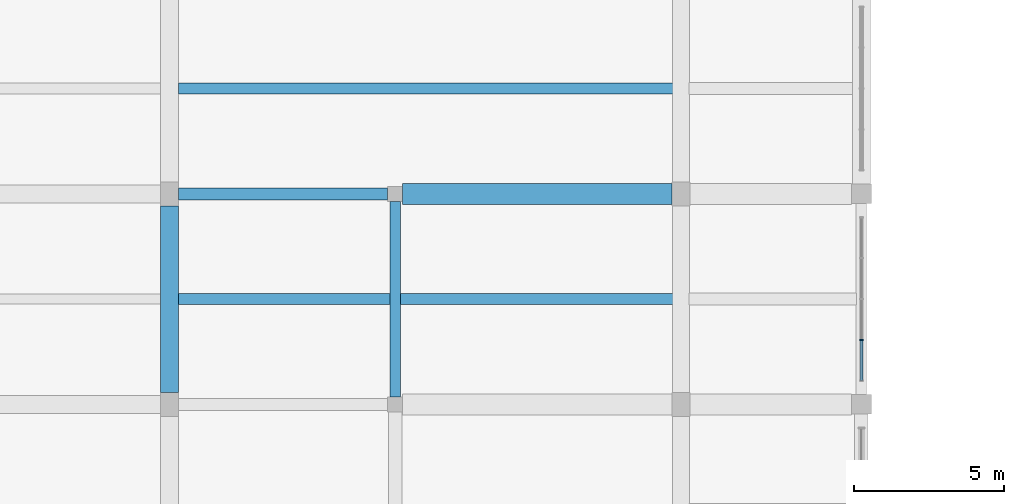
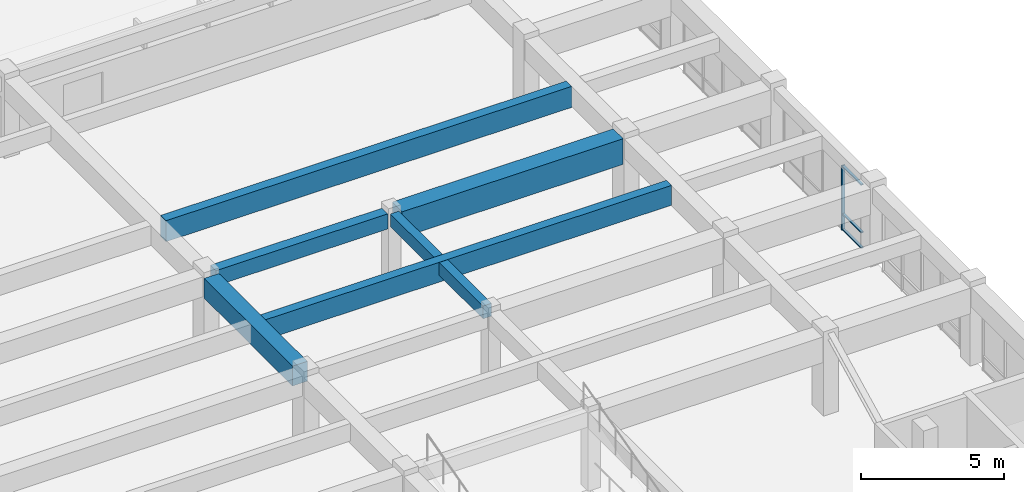
# One storey, part 41 of 77: 6 beams, 4 members, 1 element without a shape of its own.
"""IFC4 building model written with IfcOpenShell, lengths in metres."""

from ifc_helpers import new_model, si_unit, direction, frame, origin, origin_2d, place, context, subcontext, project, spatial, rectangle, extrude, material, material_profile, profile_set, type_object, element, aggregate, save


model = new_model("IFC4")

# Units and contexts
model_context = context("Model", 3, precision=1e-05, world=origin(), true_north=direction((0.0, 1.0)))
body_context = subcontext(model_context, "Body", "Model", "MODEL_VIEW")
ifc_project = project(units=[si_unit("LENGTHUNIT", "METRE"), si_unit("AREAUNIT", "SQUARE_METRE"), si_unit("VOLUMEUNIT", "CUBIC_METRE"), si_unit("PLANEANGLEUNIT", "RADIAN"), si_unit("MASSUNIT", "GRAM", prefix="KILO")], contexts=[model_context])

# Site, building, storey
site_placement = place(None, origin())
site = spatial("IfcSite", under=ifc_project, at=site_placement, CompositionType="ELEMENT")
building_placement = place(site_placement, origin())
building = spatial("IfcBuilding", under=site, at=building_placement, Name="Larkveld Mobility Hub", CompositionType="ELEMENT")
storey_placement = place(building_placement, frame((0.0, 0.0, 12.0)))
storey = spatial("IfcBuildingStorey", under=building, at=storey_placement, Name="L03", CompositionType="ELEMENT", Elevation=12.0)

# Beams
ifc_material_1 = material(Name="Precast concrete C50/60", Category="concrete")
ifc_material_profile_1 = material_profile(ifc_material_1, rectangle(XDim=0.360107421875, YDim=0.85009765625, at=origin_2d()), Name="PC DT 360x850")
ifc_profile_set_1 = profile_set([ifc_material_profile_1], Name="Precast concrete C50/60")
beam_type_1 = type_object("IfcBeamType", Name="BM-DT3685", PredefinedType="T_BEAM", material=ifc_profile_set_1)
beam_1_placement = place(storey_placement, frame((129.294921875, 80.5, 2.945068359375), z_axis=(1.0, 0.0, 0.0), x_axis=(0.0, 1.0, 0.0)))
element("IfcBeam", 1, at=beam_1_placement, inside=storey, type_object=beam_type_1, Name="Precast Double-Tee Stem L03-1122", PredefinedType="T_BEAM", context=body_context, shape_type="SweptSolid", body=[
    extrude(rectangle(XDim=0.360107421875, YDim=0.85009765625, at=origin_2d()), origin(), (0.0, 0.0, 1.0), 16.43505859375),
])
ifc_material_profile_2 = material_profile(ifc_material_1, rectangle(XDim=0.3798828125, YDim=0.89990234375, at=origin_2d()), Name="PC DT 380x900")
ifc_profile_set_2 = profile_set([ifc_material_profile_2], Name="Precast concrete C50/60")
beam_type_2 = type_object("IfcBeamType", Name="BM-DT3890", PredefinedType="T_BEAM", material=ifc_profile_set_2)
beam_2_placement = place(storey_placement, frame((129.294921875, 87.5, 2.919921875), z_axis=(1.0, 0.0, 0.0), x_axis=(0.0, 1.0, 0.0)))
element("IfcBeam", 2, at=beam_2_placement, inside=storey, type_object=beam_type_2, Name="Precast Double-Tee Stem L03-1125", PredefinedType="T_BEAM", context=body_context, shape_type="SweptSolid", body=[
    extrude(rectangle(XDim=0.3798828125, YDim=0.89990234375, at=origin_2d()), origin(), (0.0, 0.0, 1.0), 16.43505859375),
])
ifc_material_profile_3 = material_profile(ifc_material_1, rectangle(XDim=0.60009765625, YDim=0.85009765625, at=origin_2d()), Name="PC ITB 600x850")
ifc_profile_set_3 = profile_set([ifc_material_profile_3], Name="Precast concrete C50/60")
beam_type_3 = type_object("IfcBeamType", Name="BM-ITB6085", PredefinedType="T_BEAM", material=ifc_profile_set_3)
beam_3_placement = place(storey_placement, frame((129.0, 77.39990234375, 2.93505859375), z_axis=(0.0, 1.0, 0.0), x_axis=(-1.0, 0.0, 0.0)))
element("IfcBeam", 3, at=beam_3_placement, inside=storey, type_object=beam_type_3, Name="Primary N-S Girder L03-0818", PredefinedType="T_BEAM", context=body_context, shape_type="SweptSolid", body=[
    extrude(rectangle(XDim=0.60009765625, YDim=0.85009765625, at=origin_2d()), origin(), (0.0, 0.0, 1.0), 6.2001953125),
])
ifc_material_2 = material(Name="Concrete C40/50", Category="concrete")
ifc_material_profile_4 = material_profile(ifc_material_2, rectangle(XDim=0.35009765625, YDim=0.550048828125, at=origin_2d()), Name="RC BM 350x550")
ifc_profile_set_4 = profile_set([ifc_material_profile_4], Name="Concrete C40/50")
beam_type_4 = type_object("IfcBeamType", Name="BM-RC3555", PredefinedType="BEAM", material=ifc_profile_set_4)
beam_4_placement = place(storey_placement, frame((136.5, 77.25, 3.0849609375), z_axis=(0.0, 1.0, 0.0), x_axis=(-1.0, 0.0, 0.0)))
element("IfcBeam", 4, at=beam_4_placement, inside=storey, type_object=beam_type_4, Name="Primary N-S Girder L03-0824", PredefinedType="BEAM", context=body_context, shape_type="SweptSolid", body=[
    extrude(rectangle(XDim=0.35009765625, YDim=0.550048828125, at=origin_2d()), origin(), (0.0, 0.0, 1.0), 6.5),
])
ifc_material_profile_5 = material_profile(ifc_material_2, rectangle(XDim=0.39990234375, YDim=0.64990234375, at=origin_2d()), Name="RC BM 400x650")
ifc_profile_set_5 = profile_set([ifc_material_profile_5], Name="Concrete C40/50")
beam_type_5 = type_object("IfcBeamType", Name="BM-RC4065", PredefinedType="BEAM", material=ifc_profile_set_5)
beam_5_placement = place(storey_placement, frame((129.300048828125, 84.0, 3.034912109375), z_axis=(1.0, 0.0, 0.0), x_axis=(0.0, 1.0, 0.0)))
element("IfcBeam", 5, at=beam_5_placement, inside=storey, type_object=beam_type_5, Name="Primary E-W Girder L03-0737", PredefinedType="BEAM", context=body_context, shape_type="SweptSolid", body=[
    extrude(rectangle(XDim=0.39990234375, YDim=0.64990234375, at=origin_2d()), origin(), (0.0, 0.0, 1.0), 6.949951171875),
])
ifc_material_profile_6 = material_profile(ifc_material_2, rectangle(XDim=0.699951171875, YDim=1.10009765625, at=origin_2d()), Name="RC BM 700x1100")
ifc_profile_set_6 = profile_set([ifc_material_profile_6], Name="Concrete C40/50")
beam_type_6 = type_object("IfcBeamType", Name="BM-RC70110", PredefinedType="BEAM", material=ifc_profile_set_6)
beam_6_placement = place(storey_placement, frame((136.75, 84.0, 2.81005859375), z_axis=(1.0, 0.0, 0.0), x_axis=(0.0, 1.0, 0.0)))
element("IfcBeam", 6, at=beam_6_placement, inside=storey, type_object=beam_type_6, Name="Primary E-W Girder L03-0738", PredefinedType="BEAM", context=body_context, shape_type="SweptSolid", body=[
    extrude(rectangle(XDim=0.699951171875, YDim=1.10009765625, at=origin_2d()), origin(), (0.0, 0.0, 1.0), 8.949951171875),
])

# Curtain wall, members
ifc_material_3 = material(Name="Anodised aluminium 6063-T6", Category="aluminium")
curtain_wall_type = type_object("IfcCurtainWallType", Name="CW-SYS-08", PredefinedType="NOTDEFINED", material=ifc_material_3)
curtain_wall_placement = place(storey_placement, origin())
curtain_wall = element("IfcCurtainWall", 7, at=curtain_wall_placement, inside=storey, type_object=curtain_wall_type, Name="Upper Mobility and Sports East Glazing L03 CW-152", PredefinedType="NOTDEFINED")
ifc_material_profile_7 = material_profile(ifc_material_3, rectangle(XDim=0.050048828125, YDim=0.1298828125, at=origin_2d()), Name="ALU MULL 50x130")
ifc_profile_set_7 = profile_set([ifc_material_profile_7], Name="Anodised aluminium 6063-T6")
member_type_1 = type_object("IfcMemberType", Name="CW-MUL-04", PredefinedType="MULLION", material=ifc_profile_set_7)
member_1_placement = place(storey_placement, frame((152.0, 79.132080078125, -0.001953125), z_axis=(0.0, 0.0, 1.0), x_axis=(0.0, 1.0, 0.0)))
member_1 = element("IfcMember", 8, at=member_1_placement, type_object=member_type_1, Name="CW08 mullion 2", PredefinedType="MULLION", context=body_context, shape_type="SweptSolid", body=[
    extrude(rectangle(XDim=0.050048828125, YDim=0.1298828125, at=origin_2d()), origin(), (0.0, 0.0, 1.0), 2.77197265625),
])
ifc_material_profile_8 = material_profile(ifc_material_3, rectangle(XDim=0.10009765625, YDim=0.050048828125, at=origin_2d()), Name="ALU TRAN 50x100")
ifc_profile_set_8 = profile_set([ifc_material_profile_8], Name="Anodised aluminium 6063-T6")
member_type_2 = type_object("IfcMemberType", Name="CW-TRN-04", PredefinedType="USERDEFINED", material=ifc_profile_set_8)
member_2_placement = place(storey_placement, frame((152.0, 77.800048828125, 0.030029296875), z_axis=(0.0, 1.0, 0.0), x_axis=(-1.0, 0.0, 0.0)))
member_2 = element("IfcMember", 9, at=member_2_placement, type_object=member_type_2, Name="CW08 transom 1.1", ObjectType="TRANSOM", PredefinedType="USERDEFINED", context=body_context, shape_type="SweptSolid", body=[
    extrude(rectangle(XDim=0.10009765625, YDim=0.050048828125, at=origin_2d()), origin(), (0.0, 0.0, 1.0), 1.31689453125),
])
member_3_placement = place(storey_placement, frame((152.0, 77.800048828125, 0.69189453125), z_axis=(0.0, 1.0, 0.0), x_axis=(-1.0, 0.0, 0.0)))
member_3 = element("IfcMember", 10, at=member_3_placement, type_object=member_type_2, Name="CW08 transom 1.2", ObjectType="TRANSOM", PredefinedType="USERDEFINED", context=body_context, shape_type="SweptSolid", body=[
    extrude(rectangle(XDim=0.10009765625, YDim=0.050048828125, at=origin_2d()), origin(), (0.0, 0.0, 1.0), 1.31689453125),
])
member_4_placement = place(storey_placement, frame((152.0, 77.800048828125, 2.738037109375), z_axis=(0.0, 1.0, 0.0), x_axis=(-1.0, 0.0, 0.0)))
member_4 = element("IfcMember", 11, at=member_4_placement, type_object=member_type_2, Name="CW08 transom 1.3", ObjectType="TRANSOM", PredefinedType="USERDEFINED", context=body_context, shape_type="SweptSolid", body=[
    extrude(rectangle(XDim=0.10009765625, YDim=0.050048828125, at=origin_2d()), origin(), (0.0, 0.0, 1.0), 1.31689453125),
])
aggregate(curtain_wall, [member_1, member_2, member_3, member_4])

save(model, "model.ifc")
